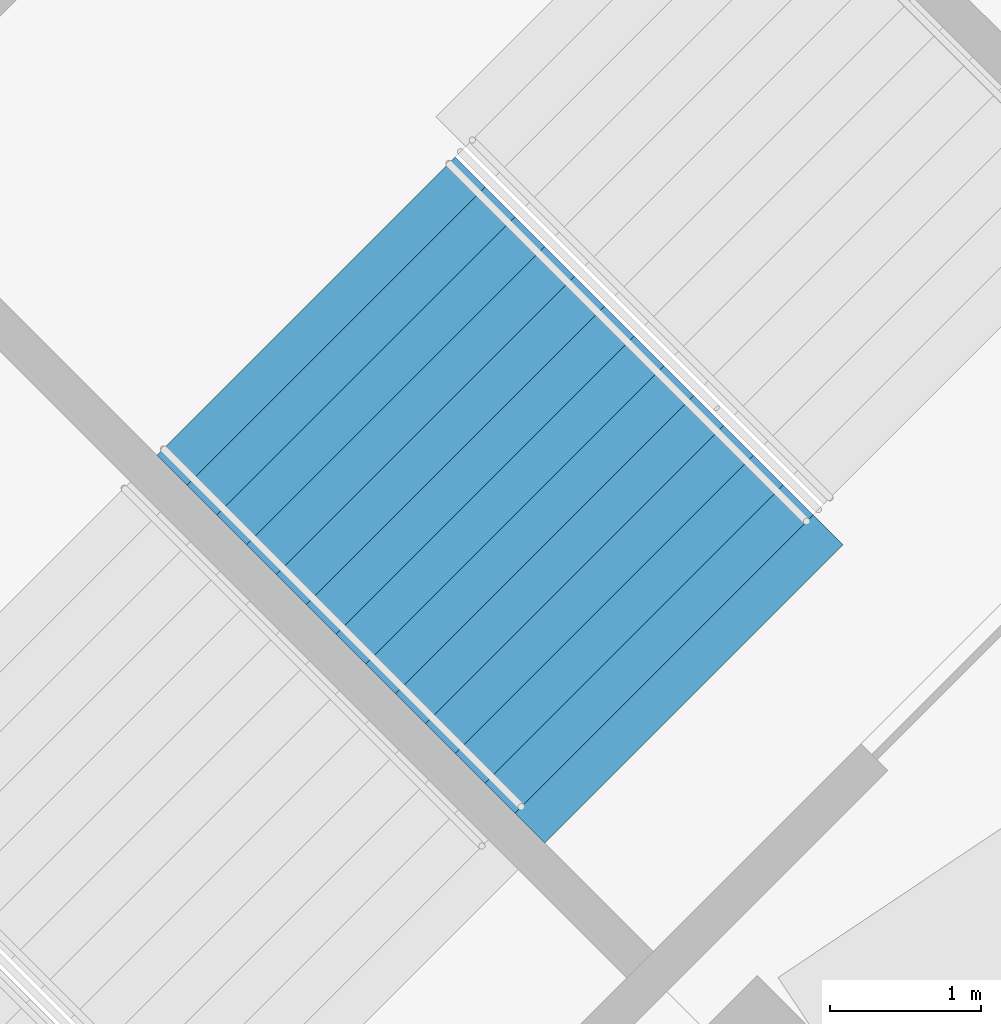
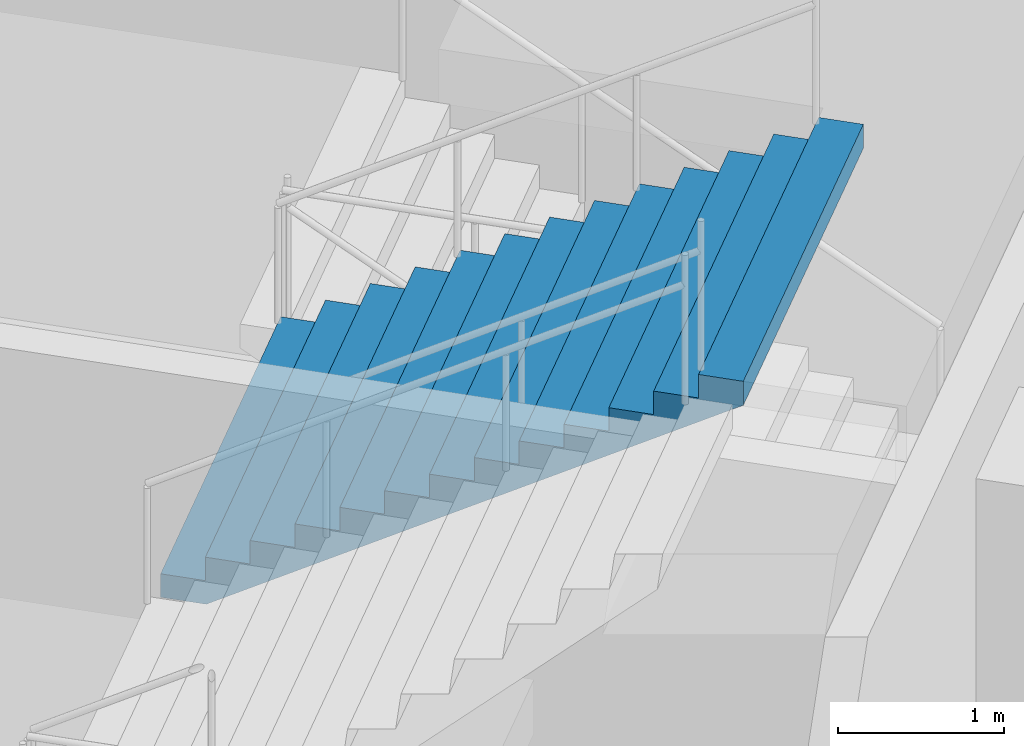
# One storey, part 199 of 249: 1 stair flight, 1 element without a shape of its own.
"""IFC4 building model written with IfcOpenShell, lengths in metres."""

from ifc_helpers import new_model, si_unit, direction, frame, origin, place, context, subcontext, project, spatial, faceted_brep, material, type_object, element, aggregate, save


model = new_model("IFC4")

# Units and contexts
model_context = context("Model", 3, precision=1e-05, world=origin(), true_north=direction((0.0, 1.0)))
body_context = subcontext(model_context, "Body", "Model", "MODEL_VIEW")
ifc_project = project(units=[si_unit("LENGTHUNIT", "METRE"), si_unit("AREAUNIT", "SQUARE_METRE"), si_unit("VOLUMEUNIT", "CUBIC_METRE"), si_unit("PLANEANGLEUNIT", "RADIAN"), si_unit("MASSUNIT", "GRAM", prefix="KILO")], contexts=[model_context])

# Site, building, storey
site_placement = place(None, origin())
site = spatial("IfcSite", under=ifc_project, at=site_placement, CompositionType="ELEMENT")
building_placement = place(site_placement, origin())
building = spatial("IfcBuilding", under=site, at=building_placement, Name="Ogive Plaza Stadium", CompositionType="ELEMENT")
storey_placement = place(building_placement, frame((0.0, 0.0, 13.5)))
storey = spatial("IfcBuildingStorey", under=building, at=storey_placement, Name="L03", CompositionType="ELEMENT", Elevation=13.5)

# Stair, stair flight
ifc_material_1 = material(Name="Concrete C40/50", Category="concrete")
stair_type = type_object("IfcStairType", Name="Exit stair", PredefinedType="STRAIGHT_RUN_STAIR", material=ifc_material_1)
stair_placement = place(storey_placement, origin())
stair = element("IfcStair", 1, at=stair_placement, inside=storey, type_object=stair_type, Name="Exit stair ST30A L03 to L04", PredefinedType="STRAIGHT_RUN_STAIR")
ifc_material_2 = material(Name="Concrete C40/50", Category="concrete")
stair_flight_type = type_object("IfcStairFlightType", Name="Exit stair flight", PredefinedType="STRAIGHT", material=ifc_material_2)
stair_flight_placement = place(storey_placement, frame((-65.243408203125, 85.900146484375, 2.25), z_axis=(0.0, 0.0, 1.0), x_axis=(0.707106781187, -0.707106781187, 0.0)))
stair_flight = element("IfcStairFlight", 2, at=stair_flight_placement, type_object=stair_flight_type, Name="ST30A flight 2", NumberOfRisers=13, NumberOfTreads=12, PredefinedType="STRAIGHT", RiserHeight=0.173076923, TreadLength=0.28, context=body_context, shape_type="Brep", body=[
    faceted_brep([(0.28515625, -1.39990234375, 0.0), (3.639892578125, -1.39990234375, 2.07373046875), (3.639892578125, -1.39990234375, 2.25), (3.360107421875, -1.39990234375, 2.25), (3.360107421875, -1.39990234375, 2.076904296875), (3.080078125, -1.39990234375, 2.076904296875), (3.080078125, -1.39990234375, 1.90380859375), (2.800048828125, -1.39990234375, 1.90380859375), (2.800048828125, -1.39990234375, 1.730712890625), (2.52001953125, -1.39990234375, 1.730712890625), (2.52001953125, -1.39990234375, 1.5576171875), (2.239990234375, -1.39990234375, 1.5576171875), (2.239990234375, -1.39990234375, 1.384521484375), (1.9599609375, -1.39990234375, 1.384521484375), (1.9599609375, -1.39990234375, 1.21142578125), (1.679931640625, -1.39990234375, 1.21142578125), (1.679931640625, -1.39990234375, 1.03857421875), (1.39990234375, -1.39990234375, 1.03857421875), (1.39990234375, -1.39990234375, 0.865478515625), (1.1201171875, -1.39990234375, 0.865478515625), (1.1201171875, -1.39990234375, 0.6923828125), (0.840087890625, -1.39990234375, 0.6923828125), (0.840087890625, -1.39990234375, 0.519287109375), (0.56005859375, -1.39990234375, 0.519287109375), (0.56005859375, -1.39990234375, 0.34619140625), (0.280029296875, -1.39990234375, 0.34619140625), (0.280029296875, -1.39990234375, 0.173095703125), (0.0, -1.39990234375, 0.173095703125), (0.0, -1.39990234375, 0.0), (0.0, 1.39990234375, 0.0), (0.0, 1.39990234375, 0.173095703125), (0.280029296875, 1.39990234375, 0.173095703125), (0.280029296875, 1.39990234375, 0.34619140625), (0.56005859375, 1.39990234375, 0.34619140625), (0.56005859375, 1.39990234375, 0.519287109375), (0.840087890625, 1.39990234375, 0.519287109375), (0.840087890625, 1.39990234375, 0.6923828125), (1.1201171875, 1.39990234375, 0.6923828125), (1.1201171875, 1.39990234375, 0.865478515625), (1.39990234375, 1.39990234375, 0.865478515625), (1.39990234375, 1.39990234375, 1.03857421875), (1.679931640625, 1.39990234375, 1.03857421875), (1.679931640625, 1.39990234375, 1.21142578125), (1.9599609375, 1.39990234375, 1.21142578125), (1.9599609375, 1.39990234375, 1.384521484375), (2.239990234375, 1.39990234375, 1.384521484375), (2.239990234375, 1.39990234375, 1.5576171875), (2.52001953125, 1.39990234375, 1.5576171875), (2.52001953125, 1.39990234375, 1.730712890625), (2.800048828125, 1.39990234375, 1.730712890625), (2.800048828125, 1.39990234375, 1.90380859375), (3.080078125, 1.39990234375, 1.90380859375), (3.080078125, 1.39990234375, 2.076904296875), (3.360107421875, 1.39990234375, 2.076904296875), (3.360107421875, 1.39990234375, 2.25), (3.639892578125, 1.39990234375, 2.25), (3.639892578125, 1.39990234375, 2.07373046875), (0.28515625, 1.39990234375, 0.0), (0.28515625, -1.0888671875, 0.0), (3.639892578125, -1.0888671875, 2.07373046875), (0.28515625, -0.77783203125, 0.0), (3.639892578125, -0.77783203125, 2.07373046875), (0.28515625, -0.466796875, 0.0), (3.639892578125, -0.466796875, 2.07373046875), (0.28515625, -0.155517578125, 0.0), (3.639892578125, -0.155517578125, 2.07373046875), (0.28515625, 0.155517578125, 0.0), (3.639892578125, 0.155517578125, 2.07373046875), (0.28515625, 0.466796875, 0.0), (3.639892578125, 0.466796875, 2.07373046875), (0.28515625, 0.77783203125, 0.0), (3.639892578125, 0.77783203125, 2.07373046875), (0.28515625, 1.0888671875, 0.0), (3.639892578125, 1.0888671875, 2.07373046875), (3.639892578125, -1.0888671875, 2.25), (3.639892578125, -0.77783203125, 2.25), (3.639892578125, -0.466796875, 2.25), (3.639892578125, -0.155517578125, 2.25), (3.639892578125, 0.155517578125, 2.25), (3.639892578125, 0.466796875, 2.25), (3.639892578125, 0.77783203125, 2.25), (3.639892578125, 1.0888671875, 2.25), (3.360107421875, -1.0888671875, 2.25), (3.360107421875, -0.77783203125, 2.25), (3.360107421875, -0.466796875, 2.25), (3.360107421875, -0.155517578125, 2.25), (3.360107421875, 0.155517578125, 2.25), (3.360107421875, 0.466796875, 2.25), (3.360107421875, 0.77783203125, 2.25), (3.360107421875, 1.0888671875, 2.25), (3.360107421875, -1.0888671875, 2.076904296875), (3.360107421875, -0.77783203125, 2.076904296875), (3.360107421875, -0.466796875, 2.076904296875), (3.360107421875, -0.155517578125, 2.076904296875), (3.360107421875, 0.155517578125, 2.076904296875), (3.360107421875, 0.466796875, 2.076904296875), (3.360107421875, 0.77783203125, 2.076904296875), (3.360107421875, 1.0888671875, 2.076904296875), (3.080078125, -1.0888671875, 2.076904296875), (3.080078125, -0.77783203125, 2.076904296875), (3.080078125, -0.466796875, 2.076904296875), (3.080078125, -0.155517578125, 2.076904296875), (3.080078125, 0.155517578125, 2.076904296875), (3.080078125, 0.466796875, 2.076904296875), (3.080078125, 0.77783203125, 2.076904296875), (3.080078125, 1.0888671875, 2.076904296875), (3.080078125, -1.0888671875, 1.90380859375), (3.080078125, -0.77783203125, 1.90380859375), (3.080078125, -0.466796875, 1.90380859375), (3.080078125, -0.155517578125, 1.90380859375), (3.080078125, 0.155517578125, 1.90380859375), (3.080078125, 0.466796875, 1.90380859375), (3.080078125, 0.77783203125, 1.90380859375), (3.080078125, 1.0888671875, 1.90380859375), (2.800048828125, -1.0888671875, 1.90380859375), (2.800048828125, -0.77783203125, 1.90380859375), (2.800048828125, -0.466796875, 1.90380859375), (2.800048828125, -0.155517578125, 1.90380859375), (2.800048828125, 0.155517578125, 1.90380859375), (2.800048828125, 0.466796875, 1.90380859375), (2.800048828125, 0.77783203125, 1.90380859375), (2.800048828125, 1.0888671875, 1.90380859375), (2.800048828125, -1.0888671875, 1.730712890625), (2.800048828125, -0.77783203125, 1.730712890625), (2.800048828125, -0.466796875, 1.730712890625), (2.800048828125, -0.155517578125, 1.730712890625), (2.800048828125, 0.155517578125, 1.730712890625), (2.800048828125, 0.466796875, 1.730712890625), (2.800048828125, 0.77783203125, 1.730712890625), (2.800048828125, 1.0888671875, 1.730712890625), (2.52001953125, -1.0888671875, 1.730712890625), (2.52001953125, -0.77783203125, 1.730712890625), (2.52001953125, -0.466796875, 1.730712890625), (2.52001953125, -0.155517578125, 1.730712890625), (2.52001953125, 0.155517578125, 1.730712890625), (2.52001953125, 0.466796875, 1.730712890625), (2.52001953125, 0.77783203125, 1.730712890625), (2.52001953125, 1.0888671875, 1.730712890625), (2.52001953125, -1.0888671875, 1.5576171875), (2.52001953125, -0.77783203125, 1.5576171875), (2.52001953125, -0.466796875, 1.5576171875), (2.52001953125, -0.155517578125, 1.5576171875), (2.52001953125, 0.155517578125, 1.5576171875), (2.52001953125, 0.466796875, 1.5576171875), (2.52001953125, 0.77783203125, 1.5576171875), (2.52001953125, 1.0888671875, 1.5576171875), (2.239990234375, -1.0888671875, 1.5576171875), (2.239990234375, -0.77783203125, 1.5576171875), (2.239990234375, -0.466796875, 1.5576171875), (2.239990234375, -0.155517578125, 1.5576171875), (2.239990234375, 0.155517578125, 1.5576171875), (2.239990234375, 0.466796875, 1.5576171875), (2.239990234375, 0.77783203125, 1.5576171875), (2.239990234375, 1.0888671875, 1.5576171875), (2.239990234375, -1.0888671875, 1.384521484375), (2.239990234375, -0.77783203125, 1.384521484375), (2.239990234375, -0.466796875, 1.384521484375), (2.239990234375, -0.155517578125, 1.384521484375), (2.239990234375, 0.155517578125, 1.384521484375), (2.239990234375, 0.466796875, 1.384521484375), (2.239990234375, 0.77783203125, 1.384521484375), (2.239990234375, 1.0888671875, 1.384521484375), (1.9599609375, -1.0888671875, 1.384521484375), (1.9599609375, -0.77783203125, 1.384521484375), (1.9599609375, -0.466796875, 1.384521484375), (1.9599609375, -0.155517578125, 1.384521484375), (1.9599609375, 0.155517578125, 1.384521484375), (1.9599609375, 0.466796875, 1.384521484375), (1.9599609375, 0.77783203125, 1.384521484375), (1.9599609375, 1.0888671875, 1.384521484375), (1.9599609375, -1.0888671875, 1.21142578125), (1.9599609375, -0.77783203125, 1.21142578125), (1.9599609375, -0.466796875, 1.21142578125), (1.9599609375, -0.155517578125, 1.21142578125), (1.9599609375, 0.155517578125, 1.21142578125), (1.9599609375, 0.466796875, 1.21142578125), (1.9599609375, 0.77783203125, 1.21142578125), (1.9599609375, 1.0888671875, 1.21142578125), (1.679931640625, -1.0888671875, 1.21142578125), (1.679931640625, -0.77783203125, 1.21142578125), (1.679931640625, -0.466796875, 1.21142578125), (1.679931640625, -0.155517578125, 1.21142578125), (1.679931640625, 0.155517578125, 1.21142578125), (1.679931640625, 0.466796875, 1.21142578125), (1.679931640625, 0.77783203125, 1.21142578125), (1.679931640625, 1.0888671875, 1.21142578125), (1.679931640625, -1.0888671875, 1.03857421875), (1.679931640625, -0.77783203125, 1.03857421875), (1.679931640625, -0.466796875, 1.03857421875), (1.679931640625, -0.155517578125, 1.03857421875), (1.679931640625, 0.155517578125, 1.03857421875), (1.679931640625, 0.466796875, 1.03857421875), (1.679931640625, 0.77783203125, 1.03857421875), (1.679931640625, 1.0888671875, 1.03857421875), (1.39990234375, -1.0888671875, 1.03857421875), (1.39990234375, -0.77783203125, 1.03857421875), (1.39990234375, -0.466796875, 1.03857421875), (1.39990234375, -0.155517578125, 1.03857421875), (1.39990234375, 0.155517578125, 1.03857421875), (1.39990234375, 0.466796875, 1.03857421875), (1.39990234375, 0.77783203125, 1.03857421875), (1.39990234375, 1.0888671875, 1.03857421875), (1.39990234375, -1.0888671875, 0.865478515625), (1.39990234375, -0.77783203125, 0.865478515625), (1.39990234375, -0.466796875, 0.865478515625), (1.39990234375, -0.155517578125, 0.865478515625), (1.39990234375, 0.155517578125, 0.865478515625), (1.39990234375, 0.466796875, 0.865478515625), (1.39990234375, 0.77783203125, 0.865478515625), (1.39990234375, 1.0888671875, 0.865478515625), (1.1201171875, -1.0888671875, 0.865478515625), (1.1201171875, -0.77783203125, 0.865478515625), (1.1201171875, -0.466796875, 0.865478515625), (1.1201171875, -0.155517578125, 0.865478515625), (1.1201171875, 0.155517578125, 0.865478515625), (1.1201171875, 0.466796875, 0.865478515625), (1.1201171875, 0.77783203125, 0.865478515625), (1.1201171875, 1.0888671875, 0.865478515625), (1.1201171875, -1.0888671875, 0.6923828125), (1.1201171875, -0.77783203125, 0.6923828125), (1.1201171875, -0.466796875, 0.6923828125), (1.1201171875, -0.155517578125, 0.6923828125), (1.1201171875, 0.155517578125, 0.6923828125), (1.1201171875, 0.466796875, 0.6923828125), (1.1201171875, 0.77783203125, 0.6923828125), (1.1201171875, 1.0888671875, 0.6923828125), (0.840087890625, -1.0888671875, 0.6923828125), (0.840087890625, -0.77783203125, 0.6923828125), (0.840087890625, -0.466796875, 0.6923828125), (0.840087890625, -0.155517578125, 0.6923828125), (0.840087890625, 0.155517578125, 0.6923828125), (0.840087890625, 0.466796875, 0.6923828125), (0.840087890625, 0.77783203125, 0.6923828125), (0.840087890625, 1.0888671875, 0.6923828125), (0.840087890625, -1.0888671875, 0.519287109375), (0.840087890625, -0.77783203125, 0.519287109375), (0.840087890625, -0.466796875, 0.519287109375), (0.840087890625, -0.155517578125, 0.519287109375), (0.840087890625, 0.155517578125, 0.519287109375), (0.840087890625, 0.466796875, 0.519287109375), (0.840087890625, 0.77783203125, 0.519287109375), (0.840087890625, 1.0888671875, 0.519287109375), (0.56005859375, -1.0888671875, 0.519287109375), (0.56005859375, -0.77783203125, 0.519287109375), (0.56005859375, -0.466796875, 0.519287109375), (0.56005859375, -0.155517578125, 0.519287109375), (0.56005859375, 0.155517578125, 0.519287109375), (0.56005859375, 0.466796875, 0.519287109375), (0.56005859375, 0.77783203125, 0.519287109375), (0.56005859375, 1.0888671875, 0.519287109375), (0.56005859375, -1.0888671875, 0.34619140625), (0.56005859375, -0.77783203125, 0.34619140625), (0.56005859375, -0.466796875, 0.34619140625), (0.56005859375, -0.155517578125, 0.34619140625), (0.56005859375, 0.155517578125, 0.34619140625), (0.56005859375, 0.466796875, 0.34619140625), (0.56005859375, 0.77783203125, 0.34619140625), (0.56005859375, 1.0888671875, 0.34619140625), (0.280029296875, -1.0888671875, 0.34619140625), (0.280029296875, -0.77783203125, 0.34619140625), (0.280029296875, -0.466796875, 0.34619140625), (0.280029296875, -0.155517578125, 0.34619140625), (0.280029296875, 0.155517578125, 0.34619140625), (0.280029296875, 0.466796875, 0.34619140625), (0.280029296875, 0.77783203125, 0.34619140625), (0.280029296875, 1.0888671875, 0.34619140625), (0.280029296875, -1.0888671875, 0.173095703125), (0.280029296875, -0.77783203125, 0.173095703125), (0.280029296875, -0.466796875, 0.173095703125), (0.280029296875, -0.155517578125, 0.173095703125), (0.280029296875, 0.155517578125, 0.173095703125), (0.280029296875, 0.466796875, 0.173095703125), (0.280029296875, 0.77783203125, 0.173095703125), (0.280029296875, 1.0888671875, 0.173095703125), (0.0, -1.0888671875, 0.173095703125), (0.0, -0.77783203125, 0.173095703125), (0.0, -0.466796875, 0.173095703125), (0.0, -0.155517578125, 0.173095703125), (0.0, 0.155517578125, 0.173095703125), (0.0, 0.466796875, 0.173095703125), (0.0, 0.77783203125, 0.173095703125), (0.0, 1.0888671875, 0.173095703125), (0.0, -1.0888671875, 0.0), (0.0, -0.77783203125, 0.0), (0.0, -0.466796875, 0.0), (0.0, -0.155517578125, 0.0), (0.0, 0.155517578125, 0.0), (0.0, 0.466796875, 0.0), (0.0, 0.77783203125, 0.0), (0.0, 1.0888671875, 0.0)], [[[0, 1, 2, 3, 4, 5, 6, 7, 8, 9, 10, 11, 12, 13, 14, 15, 16, 17, 18, 19, 20, 21, 22, 23, 24, 25, 26, 27, 28]], [[29, 30, 31, 32, 33, 34, 35, 36, 37, 38, 39, 40, 41, 42, 43, 44, 45, 46, 47, 48, 49, 50, 51, 52, 53, 54, 55, 56, 57]], [[0, 58, 59, 1]], [[58, 60, 61, 59]], [[60, 62, 63, 61]], [[62, 64, 65, 63]], [[64, 66, 67, 65]], [[66, 68, 69, 67]], [[68, 70, 71, 69]], [[70, 72, 73, 71]], [[72, 57, 56, 73]], [[1, 59, 74, 2]], [[59, 61, 75, 74]], [[61, 63, 76, 75]], [[63, 65, 77, 76]], [[65, 67, 78, 77]], [[67, 69, 79, 78]], [[69, 71, 80, 79]], [[71, 73, 81, 80]], [[73, 56, 55, 81]], [[2, 74, 82, 3]], [[74, 75, 83, 82]], [[75, 76, 84, 83]], [[76, 77, 85, 84]], [[77, 78, 86, 85]], [[78, 79, 87, 86]], [[79, 80, 88, 87]], [[80, 81, 89, 88]], [[81, 55, 54, 89]], [[3, 82, 90, 4]], [[82, 83, 91, 90]], [[83, 84, 92, 91]], [[84, 85, 93, 92]], [[85, 86, 94, 93]], [[86, 87, 95, 94]], [[87, 88, 96, 95]], [[88, 89, 97, 96]], [[89, 54, 53, 97]], [[4, 90, 98, 5]], [[90, 91, 99, 98]], [[91, 92, 100, 99]], [[92, 93, 101, 100]], [[93, 94, 102, 101]], [[94, 95, 103, 102]], [[95, 96, 104, 103]], [[96, 97, 105, 104]], [[97, 53, 52, 105]], [[5, 98, 106, 6]], [[98, 99, 107, 106]], [[99, 100, 108, 107]], [[100, 101, 109, 108]], [[101, 102, 110, 109]], [[102, 103, 111, 110]], [[103, 104, 112, 111]], [[104, 105, 113, 112]], [[105, 52, 51, 113]], [[6, 106, 114, 7]], [[106, 107, 115, 114]], [[107, 108, 116, 115]], [[108, 109, 117, 116]], [[109, 110, 118, 117]], [[110, 111, 119, 118]], [[111, 112, 120, 119]], [[112, 113, 121, 120]], [[113, 51, 50, 121]], [[7, 114, 122, 8]], [[114, 115, 123, 122]], [[115, 116, 124, 123]], [[116, 117, 125, 124]], [[117, 118, 126, 125]], [[118, 119, 127, 126]], [[119, 120, 128, 127]], [[120, 121, 129, 128]], [[121, 50, 49, 129]], [[8, 122, 130, 9]], [[122, 123, 131, 130]], [[123, 124, 132, 131]], [[124, 125, 133, 132]], [[125, 126, 134, 133]], [[126, 127, 135, 134]], [[127, 128, 136, 135]], [[128, 129, 137, 136]], [[129, 49, 48, 137]], [[9, 130, 138, 10]], [[130, 131, 139, 138]], [[131, 132, 140, 139]], [[132, 133, 141, 140]], [[133, 134, 142, 141]], [[134, 135, 143, 142]], [[135, 136, 144, 143]], [[136, 137, 145, 144]], [[137, 48, 47, 145]], [[10, 138, 146, 11]], [[138, 139, 147, 146]], [[139, 140, 148, 147]], [[140, 141, 149, 148]], [[141, 142, 150, 149]], [[142, 143, 151, 150]], [[143, 144, 152, 151]], [[144, 145, 153, 152]], [[145, 47, 46, 153]], [[11, 146, 154, 12]], [[146, 147, 155, 154]], [[147, 148, 156, 155]], [[148, 149, 157, 156]], [[149, 150, 158, 157]], [[150, 151, 159, 158]], [[151, 152, 160, 159]], [[152, 153, 161, 160]], [[153, 46, 45, 161]], [[12, 154, 162, 13]], [[154, 155, 163, 162]], [[155, 156, 164, 163]], [[156, 157, 165, 164]], [[157, 158, 166, 165]], [[158, 159, 167, 166]], [[159, 160, 168, 167]], [[160, 161, 169, 168]], [[161, 45, 44, 169]], [[13, 162, 170, 14]], [[162, 163, 171, 170]], [[163, 164, 172, 171]], [[164, 165, 173, 172]], [[165, 166, 174, 173]], [[166, 167, 175, 174]], [[167, 168, 176, 175]], [[168, 169, 177, 176]], [[169, 44, 43, 177]], [[14, 170, 178, 15]], [[170, 171, 179, 178]], [[171, 172, 180, 179]], [[172, 173, 181, 180]], [[173, 174, 182, 181]], [[174, 175, 183, 182]], [[175, 176, 184, 183]], [[176, 177, 185, 184]], [[177, 43, 42, 185]], [[15, 178, 186, 16]], [[178, 179, 187, 186]], [[179, 180, 188, 187]], [[180, 181, 189, 188]], [[181, 182, 190, 189]], [[182, 183, 191, 190]], [[183, 184, 192, 191]], [[184, 185, 193, 192]], [[185, 42, 41, 193]], [[16, 186, 194, 17]], [[186, 187, 195, 194]], [[187, 188, 196, 195]], [[188, 189, 197, 196]], [[189, 190, 198, 197]], [[190, 191, 199, 198]], [[191, 192, 200, 199]], [[192, 193, 201, 200]], [[193, 41, 40, 201]], [[17, 194, 202, 18]], [[194, 195, 203, 202]], [[195, 196, 204, 203]], [[196, 197, 205, 204]], [[197, 198, 206, 205]], [[198, 199, 207, 206]], [[199, 200, 208, 207]], [[200, 201, 209, 208]], [[201, 40, 39, 209]], [[18, 202, 210, 19]], [[202, 203, 211, 210]], [[203, 204, 212, 211]], [[204, 205, 213, 212]], [[205, 206, 214, 213]], [[206, 207, 215, 214]], [[207, 208, 216, 215]], [[208, 209, 217, 216]], [[209, 39, 38, 217]], [[19, 210, 218, 20]], [[210, 211, 219, 218]], [[211, 212, 220, 219]], [[212, 213, 221, 220]], [[213, 214, 222, 221]], [[214, 215, 223, 222]], [[215, 216, 224, 223]], [[216, 217, 225, 224]], [[217, 38, 37, 225]], [[20, 218, 226, 21]], [[218, 219, 227, 226]], [[219, 220, 228, 227]], [[220, 221, 229, 228]], [[221, 222, 230, 229]], [[222, 223, 231, 230]], [[223, 224, 232, 231]], [[224, 225, 233, 232]], [[225, 37, 36, 233]], [[21, 226, 234, 22]], [[226, 227, 235, 234]], [[227, 228, 236, 235]], [[228, 229, 237, 236]], [[229, 230, 238, 237]], [[230, 231, 239, 238]], [[231, 232, 240, 239]], [[232, 233, 241, 240]], [[233, 36, 35, 241]], [[22, 234, 242, 23]], [[234, 235, 243, 242]], [[235, 236, 244, 243]], [[236, 237, 245, 244]], [[237, 238, 246, 245]], [[238, 239, 247, 246]], [[239, 240, 248, 247]], [[240, 241, 249, 248]], [[241, 35, 34, 249]], [[23, 242, 250, 24]], [[242, 243, 251, 250]], [[243, 244, 252, 251]], [[244, 245, 253, 252]], [[245, 246, 254, 253]], [[246, 247, 255, 254]], [[247, 248, 256, 255]], [[248, 249, 257, 256]], [[249, 34, 33, 257]], [[24, 250, 258, 25]], [[250, 251, 259, 258]], [[251, 252, 260, 259]], [[252, 253, 261, 260]], [[253, 254, 262, 261]], [[254, 255, 263, 262]], [[255, 256, 264, 263]], [[256, 257, 265, 264]], [[257, 33, 32, 265]], [[25, 258, 266, 26]], [[258, 259, 267, 266]], [[259, 260, 268, 267]], [[260, 261, 269, 268]], [[261, 262, 270, 269]], [[262, 263, 271, 270]], [[263, 264, 272, 271]], [[264, 265, 273, 272]], [[265, 32, 31, 273]], [[26, 266, 274, 27]], [[266, 267, 275, 274]], [[267, 268, 276, 275]], [[268, 269, 277, 276]], [[269, 270, 278, 277]], [[270, 271, 279, 278]], [[271, 272, 280, 279]], [[272, 273, 281, 280]], [[273, 31, 30, 281]], [[27, 274, 282, 28]], [[274, 275, 283, 282]], [[275, 276, 284, 283]], [[276, 277, 285, 284]], [[277, 278, 286, 285]], [[278, 279, 287, 286]], [[279, 280, 288, 287]], [[280, 281, 289, 288]], [[281, 30, 29, 289]], [[28, 282, 58, 0]], [[282, 283, 60, 58]], [[283, 284, 62, 60]], [[284, 285, 64, 62]], [[285, 286, 66, 64]], [[286, 287, 68, 66]], [[287, 288, 70, 68]], [[288, 289, 72, 70]], [[289, 29, 57, 72]]]),
])
aggregate(stair, [stair_flight])

save(model, "model.ifc")
